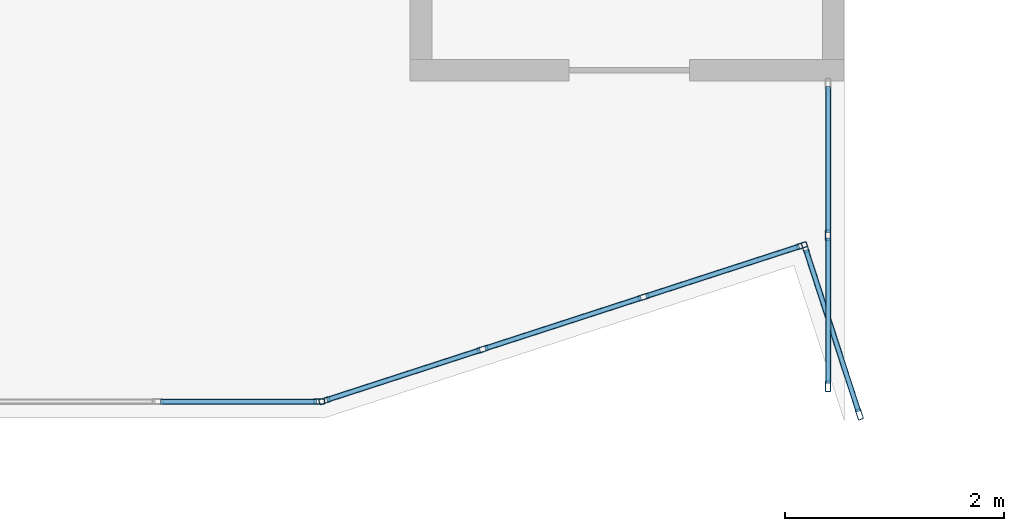
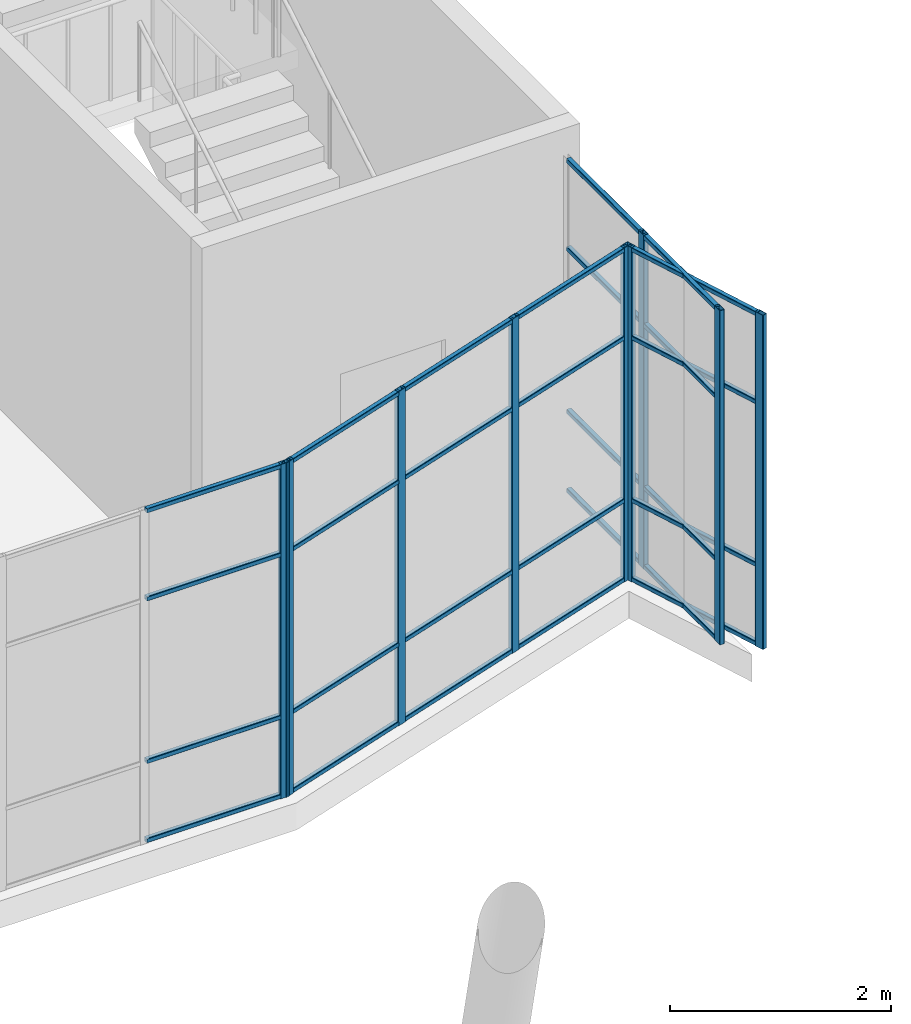
# One storey, part 10 of 66: 37 members, 4 elements without a shape of their own.
"""IFC4 building model written with IfcOpenShell, lengths in metres."""

from ifc_helpers import new_model, si_unit, direction, frame, origin, origin_2d, place, context, subcontext, project, spatial, hollow_rectangle, extrude, material, layer, layer_set, material_profile, profile_set, type_object, element, aggregate, save


model = new_model("IFC4")

# Units and contexts
model_context = context("Model", 3, precision=1e-05, world=origin(), true_north=direction((0.0, 1.0)))
body_context = subcontext(model_context, "Body", "Model", "MODEL_VIEW")
ifc_project = project(units=[si_unit("LENGTHUNIT", "METRE"), si_unit("AREAUNIT", "SQUARE_METRE"), si_unit("VOLUMEUNIT", "CUBIC_METRE"), si_unit("PLANEANGLEUNIT", "RADIAN"), si_unit("MASSUNIT", "GRAM", prefix="KILO")], contexts=[model_context])

# Site, building, storey
site_placement = place(None, origin())
site = spatial("IfcSite", under=ifc_project, at=site_placement, CompositionType="ELEMENT")
building_placement = place(site_placement, origin())
building = spatial("IfcBuilding", under=site, at=building_placement, Name="Tuart Plaza Theatre", CompositionType="ELEMENT")
storey_placement = place(building_placement, frame((0.0, 0.0, 5.5)))
storey = spatial("IfcBuildingStorey", under=building, at=storey_placement, Name="L01", CompositionType="ELEMENT", Elevation=5.5)

# Curtain wall, member
ifc_material_1 = material(Name="Aluminium and glass", Category="aluminium")
ifc_layer = layer(ifc_material_1, 0.10009765625)
ifc_layer_set = layer_set([ifc_layer], Name="CURTAIN WALL 1500 module")
curtain_wall_type = type_object("IfcCurtainWallType", Name="CURTAIN WALL 1500 module", PredefinedType="NOTDEFINED", material=ifc_layer_set)
curtain_wall_1_placement = place(storey_placement, origin())
curtain_wall_1 = element("IfcCurtainWall", 1, at=curtain_wall_1_placement, inside=storey, type_object=curtain_wall_type, Name="CW18", PredefinedType="NOTDEFINED")
ifc_material_2 = material(Name="Aluminium 6063-T5", Category="aluminium")
ifc_material_profile_1 = material_profile(ifc_material_2, hollow_rectangle(XDim=0.050048828125, YDim=0.10009765625, WallThickness=0.00390625, InnerFilletRadius=0.00390625, OuterFilletRadius=0.008056640625, at=origin_2d()), Name="RHS 100x50x4")
ifc_profile_set_1 = profile_set([ifc_material_profile_1], Name="Aluminium 6063-T5")
member_type_1 = type_object("IfcMemberType", Name="MULLION RHS 100x50x4", PredefinedType="MULLION", material=ifc_profile_set_1)
member_1_placement = place(storey_placement, frame((105.5712890625, 41.47900390625, 0.0), z_axis=(0.0, 0.0, 1.0), x_axis=(0.0, 1.0, 0.0)))
member_1 = element("IfcMember", 2, at=member_1_placement, type_object=member_type_1, Name="CW18 mullion 6", PredefinedType="MULLION", context=body_context, shape_type="SweptSolid", body=[
    extrude(hollow_rectangle(XDim=0.050048828125, YDim=0.10009765625, WallThickness=0.00390625, InnerFilletRadius=0.00390625, OuterFilletRadius=0.008056640625, at=origin_2d()), origin(), (0.0, 0.0, 1.0), 3.699951171875),
])

# Curtain wall, members
curtain_wall_2_placement = place(storey_placement, origin())
curtain_wall_2 = element("IfcCurtainWall", 3, at=curtain_wall_2_placement, inside=storey, type_object=curtain_wall_type, Name="CW19", PredefinedType="NOTDEFINED")
member_2_placement = place(storey_placement, frame((105.6201171875, 41.48681640625, 0.0), z_axis=(0.0, 0.0, 1.0), x_axis=(-0.308885075459, 0.951099369235, 0.0)))
member_2 = element("IfcMember", 4, at=member_2_placement, type_object=member_type_1, Name="CW19 mullion 1", PredefinedType="MULLION", context=body_context, shape_type="SweptSolid", body=[
    extrude(hollow_rectangle(XDim=0.050048828125, YDim=0.10009765625, WallThickness=0.00390625, InnerFilletRadius=0.00390625, OuterFilletRadius=0.008056640625, at=origin_2d()), origin(), (0.0, 0.0, 1.0), 3.699951171875),
])
member_3_placement = place(storey_placement, frame((107.06298828125, 41.955322265625, 0.0), z_axis=(0.0, 0.0, 1.0), x_axis=(-0.308885075459, 0.951099369235, 0.0)))
member_3 = element("IfcMember", 5, at=member_3_placement, type_object=member_type_1, Name="CW19 mullion 2", PredefinedType="MULLION", context=body_context, shape_type="SweptSolid", body=[
    extrude(hollow_rectangle(XDim=0.050048828125, YDim=0.10009765625, WallThickness=0.00390625, InnerFilletRadius=0.00390625, OuterFilletRadius=0.008056640625, at=origin_2d()), origin(), (0.0, 0.0, 1.0), 3.699951171875),
])
member_4_placement = place(storey_placement, frame((108.529541015625, 42.431640625, 0.0), z_axis=(0.0, 0.0, 1.0), x_axis=(-0.308885075459, 0.951099369235, 0.0)))
member_4 = element("IfcMember", 6, at=member_4_placement, type_object=member_type_1, Name="CW19 mullion 3", PredefinedType="MULLION", context=body_context, shape_type="SweptSolid", body=[
    extrude(hollow_rectangle(XDim=0.050048828125, YDim=0.10009765625, WallThickness=0.00390625, InnerFilletRadius=0.00390625, OuterFilletRadius=0.008056640625, at=origin_2d()), origin(), (0.0, 0.0, 1.0), 3.699951171875),
])
member_5_placement = place(storey_placement, frame((109.97265625, 42.900390625, 0.0), z_axis=(0.0, 0.0, 1.0), x_axis=(-0.308885075459, 0.951099369235, 0.0)))
member_5 = element("IfcMember", 7, at=member_5_placement, type_object=member_type_1, Name="CW19 mullion 4", PredefinedType="MULLION", context=body_context, shape_type="SweptSolid", body=[
    extrude(hollow_rectangle(XDim=0.050048828125, YDim=0.10009765625, WallThickness=0.00390625, InnerFilletRadius=0.00390625, OuterFilletRadius=0.008056640625, at=origin_2d()), origin(), (0.0, 0.0, 1.0), 3.699951171875),
])

curtain_wall_3_placement = place(storey_placement, origin())
curtain_wall_3 = element("IfcCurtainWall", 8, at=curtain_wall_3_placement, inside=storey, type_object=curtain_wall_type, Name="CW20", PredefinedType="NOTDEFINED")
member_6_placement = place(storey_placement, frame((110.004150390625, 42.88427734375, 0.0), z_axis=(0.0, 0.0, 1.0), x_axis=(0.951122257572, 0.30881459025, 0.0)))
member_6 = element("IfcMember", 9, at=member_6_placement, type_object=member_type_1, Name="CW20 mullion 1", PredefinedType="MULLION", context=body_context, shape_type="SweptSolid", body=[
    extrude(hollow_rectangle(XDim=0.050048828125, YDim=0.10009765625, WallThickness=0.00390625, InnerFilletRadius=0.00390625, OuterFilletRadius=0.008056640625, at=origin_2d()), origin(), (0.0, 0.0, 1.0), 3.699951171875),
])
member_7_placement = place(storey_placement, frame((110.498046875, 41.363037109375, 0.0), z_axis=(0.0, 0.0, 1.0), x_axis=(0.951122257572, 0.30881459025, 0.0)))
member_7 = element("IfcMember", 10, at=member_7_placement, type_object=member_type_1, Name="CW20 mullion 2", PredefinedType="MULLION", context=body_context, shape_type="SweptSolid", body=[
    extrude(hollow_rectangle(XDim=0.050048828125, YDim=0.10009765625, WallThickness=0.00390625, InnerFilletRadius=0.00390625, OuterFilletRadius=0.008056640625, at=origin_2d()), origin(), (0.0, 0.0, 1.0), 3.699951171875),
])

curtain_wall_4_placement = place(storey_placement, origin())
curtain_wall_4 = element("IfcCurtainWall", 11, at=curtain_wall_4_placement, inside=storey, type_object=curtain_wall_type, Name="CW21", PredefinedType="NOTDEFINED")
member_8_placement = place(storey_placement, frame((110.212890625, 41.617919921875, 0.0), z_axis=(0.0, 0.0, 1.0), x_axis=(-1.0, 0.0, 0.0)))
member_8 = element("IfcMember", 12, at=member_8_placement, type_object=member_type_1, Name="CW21 mullion 1", PredefinedType="MULLION", context=body_context, shape_type="SweptSolid", body=[
    extrude(hollow_rectangle(XDim=0.050048828125, YDim=0.10009765625, WallThickness=0.00390625, InnerFilletRadius=0.00390625, OuterFilletRadius=0.008056640625, at=origin_2d()), origin(), (0.0, 0.0, 1.0), 3.699951171875),
])
member_9_placement = place(storey_placement, frame((110.212890625, 42.99658203125, 0.0), z_axis=(0.0, 0.0, 1.0), x_axis=(-1.0, 0.0, 0.0)))
member_9 = element("IfcMember", 13, at=member_9_placement, type_object=member_type_1, Name="CW21 mullion 2", PredefinedType="MULLION", context=body_context, shape_type="SweptSolid", body=[
    extrude(hollow_rectangle(XDim=0.050048828125, YDim=0.10009765625, WallThickness=0.00390625, InnerFilletRadius=0.00390625, OuterFilletRadius=0.008056640625, at=origin_2d()), origin(), (0.0, 0.0, 1.0), 3.699951171875),
])

# Member
ifc_material_3 = material(Name="Aluminium 6063-T5", Category="aluminium")
ifc_material_profile_2 = material_profile(ifc_material_3, hollow_rectangle(XDim=0.050048828125, YDim=0.050048828125, WallThickness=0.00390625, InnerFilletRadius=0.00390625, OuterFilletRadius=0.008056640625, at=origin_2d()), Name="RHS 50x50x4")
ifc_profile_set_2 = profile_set([ifc_material_profile_2], Name="Aluminium 6063-T5")
member_type_2 = type_object("IfcMemberType", Name="TRANSOM RHS 50x50x4", PredefinedType="USERDEFINED", material=ifc_profile_set_2)
member_10_placement = place(storey_placement, frame((104.1259765625, 41.47900390625, 0.02490234375), z_axis=(1.0, 0.0, 0.0), x_axis=(0.0, 1.0, 0.0)))
member_10 = element("IfcMember", 14, at=member_10_placement, type_object=member_type_2, Name="CW18 transom 5.1", ObjectType="TRANSOM", PredefinedType="USERDEFINED", context=body_context, shape_type="SweptSolid", body=[
    extrude(hollow_rectangle(XDim=0.050048828125, YDim=0.050048828125, WallThickness=0.00390625, InnerFilletRadius=0.00390625, OuterFilletRadius=0.008056640625, at=origin_2d()), origin(), (0.0, 0.0, 1.0), 1.420166015625),
])

member_11_placement = place(storey_placement, frame((104.1259765625, 41.47900390625, 0.89990234375), z_axis=(1.0, 0.0, 0.0), x_axis=(0.0, 1.0, 0.0)))
member_11 = element("IfcMember", 15, at=member_11_placement, type_object=member_type_2, Name="CW18 transom 5.2", ObjectType="TRANSOM", PredefinedType="USERDEFINED", context=body_context, shape_type="SweptSolid", body=[
    extrude(hollow_rectangle(XDim=0.050048828125, YDim=0.050048828125, WallThickness=0.00390625, InnerFilletRadius=0.00390625, OuterFilletRadius=0.008056640625, at=origin_2d()), origin(), (0.0, 0.0, 1.0), 1.420166015625),
])

member_12_placement = place(storey_placement, frame((104.1259765625, 41.47900390625, 2.699951171875), z_axis=(1.0, 0.0, 0.0), x_axis=(0.0, 1.0, 0.0)))
member_12 = element("IfcMember", 16, at=member_12_placement, type_object=member_type_2, Name="CW18 transom 5.3", ObjectType="TRANSOM", PredefinedType="USERDEFINED", context=body_context, shape_type="SweptSolid", body=[
    extrude(hollow_rectangle(XDim=0.050048828125, YDim=0.050048828125, WallThickness=0.00390625, InnerFilletRadius=0.00390625, OuterFilletRadius=0.008056640625, at=origin_2d()), origin(), (0.0, 0.0, 1.0), 1.420166015625),
])

member_13_placement = place(storey_placement, frame((104.1259765625, 41.47900390625, 3.675048828125), z_axis=(1.0, 0.0, 0.0), x_axis=(0.0, 1.0, 0.0)))
member_13 = element("IfcMember", 17, at=member_13_placement, type_object=member_type_2, Name="CW18 transom 5.4", ObjectType="TRANSOM", PredefinedType="USERDEFINED", context=body_context, shape_type="SweptSolid", body=[
    extrude(hollow_rectangle(XDim=0.050048828125, YDim=0.050048828125, WallThickness=0.00390625, InnerFilletRadius=0.00390625, OuterFilletRadius=0.008056640625, at=origin_2d()), origin(), (0.0, 0.0, 1.0), 1.420166015625),
])

aggregate(curtain_wall_1, [member_1, member_10, member_11, member_12, member_13])

member_14_placement = place(storey_placement, frame((105.643798828125, 41.494384765625, 0.02490234375), z_axis=(0.951101311149, 0.308879095974, 0.0), x_axis=(-0.308879095974, 0.951101311149, 0.0)))
member_14 = element("IfcMember", 18, at=member_14_placement, type_object=member_type_2, Name="CW19 transom 1.1", ObjectType="TRANSOM", PredefinedType="USERDEFINED", context=body_context, shape_type="SweptSolid", body=[
    extrude(hollow_rectangle(XDim=0.050048828125, YDim=0.050048828125, WallThickness=0.00390625, InnerFilletRadius=0.00390625, OuterFilletRadius=0.008056640625, at=origin_2d()), origin(), (0.0, 0.0, 1.0), 1.467041015625),
])

member_15_placement = place(storey_placement, frame((105.643798828125, 41.494384765625, 0.89990234375), z_axis=(0.951101311149, 0.308879095974, 0.0), x_axis=(-0.308879095974, 0.951101311149, 0.0)))
member_15 = element("IfcMember", 19, at=member_15_placement, type_object=member_type_2, Name="CW19 transom 1.2", ObjectType="TRANSOM", PredefinedType="USERDEFINED", context=body_context, shape_type="SweptSolid", body=[
    extrude(hollow_rectangle(XDim=0.050048828125, YDim=0.050048828125, WallThickness=0.00390625, InnerFilletRadius=0.00390625, OuterFilletRadius=0.008056640625, at=origin_2d()), origin(), (0.0, 0.0, 1.0), 1.467041015625),
])

member_16_placement = place(storey_placement, frame((105.643798828125, 41.494384765625, 2.699951171875), z_axis=(0.951101311149, 0.308879095974, 0.0), x_axis=(-0.308879095974, 0.951101311149, 0.0)))
member_16 = element("IfcMember", 20, at=member_16_placement, type_object=member_type_2, Name="CW19 transom 1.3", ObjectType="TRANSOM", PredefinedType="USERDEFINED", context=body_context, shape_type="SweptSolid", body=[
    extrude(hollow_rectangle(XDim=0.050048828125, YDim=0.050048828125, WallThickness=0.00390625, InnerFilletRadius=0.00390625, OuterFilletRadius=0.008056640625, at=origin_2d()), origin(), (0.0, 0.0, 1.0), 1.467041015625),
])

member_17_placement = place(storey_placement, frame((105.643798828125, 41.494384765625, 3.675048828125), z_axis=(0.951101311149, 0.308879095974, 0.0), x_axis=(-0.308879095974, 0.951101311149, 0.0)))
member_17 = element("IfcMember", 21, at=member_17_placement, type_object=member_type_2, Name="CW19 transom 1.4", ObjectType="TRANSOM", PredefinedType="USERDEFINED", context=body_context, shape_type="SweptSolid", body=[
    extrude(hollow_rectangle(XDim=0.050048828125, YDim=0.050048828125, WallThickness=0.00390625, InnerFilletRadius=0.00390625, OuterFilletRadius=0.008056640625, at=origin_2d()), origin(), (0.0, 0.0, 1.0), 1.467041015625),
])

member_18_placement = place(storey_placement, frame((107.086669921875, 41.963134765625, 0.02490234375), z_axis=(0.951141028073, 0.308756772746, 0.0), x_axis=(-0.308756772746, 0.951141028073, 0.0)))
member_18 = element("IfcMember", 22, at=member_18_placement, type_object=member_type_2, Name="CW19 transom 2.1", ObjectType="TRANSOM", PredefinedType="USERDEFINED", context=body_context, shape_type="SweptSolid", body=[
    extrude(hollow_rectangle(XDim=0.050048828125, YDim=0.050048828125, WallThickness=0.00390625, InnerFilletRadius=0.00390625, OuterFilletRadius=0.008056640625, at=origin_2d()), origin(), (0.0, 0.0, 1.0), 1.4921875),
])

member_19_placement = place(storey_placement, frame((107.086669921875, 41.963134765625, 0.89990234375), z_axis=(0.951141028073, 0.308756772746, 0.0), x_axis=(-0.308756772746, 0.951141028073, 0.0)))
member_19 = element("IfcMember", 23, at=member_19_placement, type_object=member_type_2, Name="CW19 transom 2.2", ObjectType="TRANSOM", PredefinedType="USERDEFINED", context=body_context, shape_type="SweptSolid", body=[
    extrude(hollow_rectangle(XDim=0.050048828125, YDim=0.050048828125, WallThickness=0.00390625, InnerFilletRadius=0.00390625, OuterFilletRadius=0.008056640625, at=origin_2d()), origin(), (0.0, 0.0, 1.0), 1.4921875),
])

member_20_placement = place(storey_placement, frame((107.086669921875, 41.963134765625, 2.699951171875), z_axis=(0.951141028073, 0.308756772746, 0.0), x_axis=(-0.308756772746, 0.951141028073, 0.0)))
member_20 = element("IfcMember", 24, at=member_20_placement, type_object=member_type_2, Name="CW19 transom 2.3", ObjectType="TRANSOM", PredefinedType="USERDEFINED", context=body_context, shape_type="SweptSolid", body=[
    extrude(hollow_rectangle(XDim=0.050048828125, YDim=0.050048828125, WallThickness=0.00390625, InnerFilletRadius=0.00390625, OuterFilletRadius=0.008056640625, at=origin_2d()), origin(), (0.0, 0.0, 1.0), 1.4921875),
])

member_21_placement = place(storey_placement, frame((107.086669921875, 41.963134765625, 3.675048828125), z_axis=(0.951141028073, 0.308756772746, 0.0), x_axis=(-0.308756772746, 0.951141028073, 0.0)))
member_21 = element("IfcMember", 25, at=member_21_placement, type_object=member_type_2, Name="CW19 transom 2.4", ObjectType="TRANSOM", PredefinedType="USERDEFINED", context=body_context, shape_type="SweptSolid", body=[
    extrude(hollow_rectangle(XDim=0.050048828125, YDim=0.050048828125, WallThickness=0.00390625, InnerFilletRadius=0.00390625, OuterFilletRadius=0.008056640625, at=origin_2d()), origin(), (0.0, 0.0, 1.0), 1.4921875),
])

member_22_placement = place(storey_placement, frame((108.553466796875, 42.439453125, 0.02490234375), z_axis=(0.951101311149, 0.308879095974, 0.0), x_axis=(-0.308879095974, 0.951101311149, 0.0)))
member_22 = element("IfcMember", 26, at=member_22_placement, type_object=member_type_2, Name="CW19 transom 3.1", ObjectType="TRANSOM", PredefinedType="USERDEFINED", context=body_context, shape_type="SweptSolid", body=[
    extrude(hollow_rectangle(XDim=0.050048828125, YDim=0.050048828125, WallThickness=0.00390625, InnerFilletRadius=0.00390625, OuterFilletRadius=0.008056640625, at=origin_2d()), origin(), (0.0, 0.0, 1.0), 1.467041015625),
])

member_23_placement = place(storey_placement, frame((108.553466796875, 42.439453125, 0.89990234375), z_axis=(0.951101311149, 0.308879095974, 0.0), x_axis=(-0.308879095974, 0.951101311149, 0.0)))
member_23 = element("IfcMember", 27, at=member_23_placement, type_object=member_type_2, Name="CW19 transom 3.2", ObjectType="TRANSOM", PredefinedType="USERDEFINED", context=body_context, shape_type="SweptSolid", body=[
    extrude(hollow_rectangle(XDim=0.050048828125, YDim=0.050048828125, WallThickness=0.00390625, InnerFilletRadius=0.00390625, OuterFilletRadius=0.008056640625, at=origin_2d()), origin(), (0.0, 0.0, 1.0), 1.467041015625),
])

member_24_placement = place(storey_placement, frame((108.553466796875, 42.439453125, 2.699951171875), z_axis=(0.951101311149, 0.308879095974, 0.0), x_axis=(-0.308879095974, 0.951101311149, 0.0)))
member_24 = element("IfcMember", 28, at=member_24_placement, type_object=member_type_2, Name="CW19 transom 3.3", ObjectType="TRANSOM", PredefinedType="USERDEFINED", context=body_context, shape_type="SweptSolid", body=[
    extrude(hollow_rectangle(XDim=0.050048828125, YDim=0.050048828125, WallThickness=0.00390625, InnerFilletRadius=0.00390625, OuterFilletRadius=0.008056640625, at=origin_2d()), origin(), (0.0, 0.0, 1.0), 1.467041015625),
])

member_25_placement = place(storey_placement, frame((108.553466796875, 42.439453125, 3.675048828125), z_axis=(0.951101311149, 0.308879095974, 0.0), x_axis=(-0.308879095974, 0.951101311149, 0.0)))
member_25 = element("IfcMember", 29, at=member_25_placement, type_object=member_type_2, Name="CW19 transom 3.4", ObjectType="TRANSOM", PredefinedType="USERDEFINED", context=body_context, shape_type="SweptSolid", body=[
    extrude(hollow_rectangle(XDim=0.050048828125, YDim=0.050048828125, WallThickness=0.00390625, InnerFilletRadius=0.00390625, OuterFilletRadius=0.008056640625, at=origin_2d()), origin(), (0.0, 0.0, 1.0), 1.467041015625),
])

aggregate(curtain_wall_2, [member_2, member_3, member_4, member_5, member_14, member_15, member_16, member_17, member_18, member_19, member_20, member_21, member_22, member_23, member_24, member_25])

member_26_placement = place(storey_placement, frame((110.01171875, 42.8603515625, 0.02490234375), z_axis=(0.308890071797, -0.951097746578, 0.0), x_axis=(0.951097746578, 0.308890071797, 0.0)))
member_26 = element("IfcMember", 30, at=member_26_placement, type_object=member_type_2, Name="CW20 transom 1.1", ObjectType="TRANSOM", PredefinedType="USERDEFINED", context=body_context, shape_type="SweptSolid", body=[
    extrude(hollow_rectangle(XDim=0.050048828125, YDim=0.050048828125, WallThickness=0.00390625, InnerFilletRadius=0.00390625, OuterFilletRadius=0.008056640625, at=origin_2d()), origin(), (0.0, 0.0, 1.0), 1.549072265625),
])

member_27_placement = place(storey_placement, frame((110.01171875, 42.8603515625, 0.89990234375), z_axis=(0.308890071797, -0.951097746578, 0.0), x_axis=(0.951097746578, 0.308890071797, 0.0)))
member_27 = element("IfcMember", 31, at=member_27_placement, type_object=member_type_2, Name="CW20 transom 1.2", ObjectType="TRANSOM", PredefinedType="USERDEFINED", context=body_context, shape_type="SweptSolid", body=[
    extrude(hollow_rectangle(XDim=0.050048828125, YDim=0.050048828125, WallThickness=0.00390625, InnerFilletRadius=0.00390625, OuterFilletRadius=0.008056640625, at=origin_2d()), origin(), (0.0, 0.0, 1.0), 1.549072265625),
])

member_28_placement = place(storey_placement, frame((110.01171875, 42.8603515625, 2.699951171875), z_axis=(0.308890071797, -0.951097746578, 0.0), x_axis=(0.951097746578, 0.308890071797, 0.0)))
member_28 = element("IfcMember", 32, at=member_28_placement, type_object=member_type_2, Name="CW20 transom 1.3", ObjectType="TRANSOM", PredefinedType="USERDEFINED", context=body_context, shape_type="SweptSolid", body=[
    extrude(hollow_rectangle(XDim=0.050048828125, YDim=0.050048828125, WallThickness=0.00390625, InnerFilletRadius=0.00390625, OuterFilletRadius=0.008056640625, at=origin_2d()), origin(), (0.0, 0.0, 1.0), 1.549072265625),
])

member_29_placement = place(storey_placement, frame((110.01171875, 42.8603515625, 3.675048828125), z_axis=(0.308890071797, -0.951097746578, 0.0), x_axis=(0.951097746578, 0.308890071797, 0.0)))
member_29 = element("IfcMember", 33, at=member_29_placement, type_object=member_type_2, Name="CW20 transom 1.4", ObjectType="TRANSOM", PredefinedType="USERDEFINED", context=body_context, shape_type="SweptSolid", body=[
    extrude(hollow_rectangle(XDim=0.050048828125, YDim=0.050048828125, WallThickness=0.00390625, InnerFilletRadius=0.00390625, OuterFilletRadius=0.008056640625, at=origin_2d()), origin(), (0.0, 0.0, 1.0), 1.549072265625),
])

aggregate(curtain_wall_3, [member_6, member_7, member_26, member_27, member_28, member_29])

member_30_placement = place(storey_placement, frame((110.212890625, 41.64306640625, 0.02490234375), z_axis=(0.0, 1.0, 0.0), x_axis=(-1.0, 0.0, 0.0)))
member_30 = element("IfcMember", 34, at=member_30_placement, type_object=member_type_2, Name="CW21 transom 1.1", ObjectType="TRANSOM", PredefinedType="USERDEFINED", context=body_context, shape_type="SweptSolid", body=[
    extrude(hollow_rectangle(XDim=0.050048828125, YDim=0.050048828125, WallThickness=0.00390625, InnerFilletRadius=0.00390625, OuterFilletRadius=0.008056640625, at=origin_2d()), origin(), (0.0, 0.0, 1.0), 1.328369140625),
])

member_31_placement = place(storey_placement, frame((110.212890625, 41.64306640625, 0.89990234375), z_axis=(0.0, 1.0, 0.0), x_axis=(-1.0, 0.0, 0.0)))
member_31 = element("IfcMember", 35, at=member_31_placement, type_object=member_type_2, Name="CW21 transom 1.2", ObjectType="TRANSOM", PredefinedType="USERDEFINED", context=body_context, shape_type="SweptSolid", body=[
    extrude(hollow_rectangle(XDim=0.050048828125, YDim=0.050048828125, WallThickness=0.00390625, InnerFilletRadius=0.00390625, OuterFilletRadius=0.008056640625, at=origin_2d()), origin(), (0.0, 0.0, 1.0), 1.328369140625),
])

member_32_placement = place(storey_placement, frame((110.212890625, 41.64306640625, 2.699951171875), z_axis=(0.0, 1.0, 0.0), x_axis=(-1.0, 0.0, 0.0)))
member_32 = element("IfcMember", 36, at=member_32_placement, type_object=member_type_2, Name="CW21 transom 1.3", ObjectType="TRANSOM", PredefinedType="USERDEFINED", context=body_context, shape_type="SweptSolid", body=[
    extrude(hollow_rectangle(XDim=0.050048828125, YDim=0.050048828125, WallThickness=0.00390625, InnerFilletRadius=0.00390625, OuterFilletRadius=0.008056640625, at=origin_2d()), origin(), (0.0, 0.0, 1.0), 1.328369140625),
])

member_33_placement = place(storey_placement, frame((110.212890625, 41.64306640625, 3.675048828125), z_axis=(0.0, 1.0, 0.0), x_axis=(-1.0, 0.0, 0.0)))
member_33 = element("IfcMember", 37, at=member_33_placement, type_object=member_type_2, Name="CW21 transom 1.4", ObjectType="TRANSOM", PredefinedType="USERDEFINED", context=body_context, shape_type="SweptSolid", body=[
    extrude(hollow_rectangle(XDim=0.050048828125, YDim=0.050048828125, WallThickness=0.00390625, InnerFilletRadius=0.00390625, OuterFilletRadius=0.008056640625, at=origin_2d()), origin(), (0.0, 0.0, 1.0), 1.328369140625),
])

member_34_placement = place(storey_placement, frame((110.212890625, 43.021484375, 0.02490234375), z_axis=(0.0, 1.0, 0.0), x_axis=(-1.0, 0.0, 0.0)))
member_34 = element("IfcMember", 38, at=member_34_placement, type_object=member_type_2, Name="CW21 transom 2.1", ObjectType="TRANSOM", PredefinedType="USERDEFINED", context=body_context, shape_type="SweptSolid", body=[
    extrude(hollow_rectangle(XDim=0.050048828125, YDim=0.050048828125, WallThickness=0.00390625, InnerFilletRadius=0.00390625, OuterFilletRadius=0.008056640625, at=origin_2d()), origin(), (0.0, 0.0, 1.0), 1.32861328125),
])

member_35_placement = place(storey_placement, frame((110.212890625, 43.021484375, 0.89990234375), z_axis=(0.0, 1.0, 0.0), x_axis=(-1.0, 0.0, 0.0)))
member_35 = element("IfcMember", 39, at=member_35_placement, type_object=member_type_2, Name="CW21 transom 2.2", ObjectType="TRANSOM", PredefinedType="USERDEFINED", context=body_context, shape_type="SweptSolid", body=[
    extrude(hollow_rectangle(XDim=0.050048828125, YDim=0.050048828125, WallThickness=0.00390625, InnerFilletRadius=0.00390625, OuterFilletRadius=0.008056640625, at=origin_2d()), origin(), (0.0, 0.0, 1.0), 1.32861328125),
])

member_36_placement = place(storey_placement, frame((110.212890625, 43.021484375, 2.699951171875), z_axis=(0.0, 1.0, 0.0), x_axis=(-1.0, 0.0, 0.0)))
member_36 = element("IfcMember", 40, at=member_36_placement, type_object=member_type_2, Name="CW21 transom 2.3", ObjectType="TRANSOM", PredefinedType="USERDEFINED", context=body_context, shape_type="SweptSolid", body=[
    extrude(hollow_rectangle(XDim=0.050048828125, YDim=0.050048828125, WallThickness=0.00390625, InnerFilletRadius=0.00390625, OuterFilletRadius=0.008056640625, at=origin_2d()), origin(), (0.0, 0.0, 1.0), 1.32861328125),
])

member_37_placement = place(storey_placement, frame((110.212890625, 43.021484375, 3.675048828125), z_axis=(0.0, 1.0, 0.0), x_axis=(-1.0, 0.0, 0.0)))
member_37 = element("IfcMember", 41, at=member_37_placement, type_object=member_type_2, Name="CW21 transom 2.4", ObjectType="TRANSOM", PredefinedType="USERDEFINED", context=body_context, shape_type="SweptSolid", body=[
    extrude(hollow_rectangle(XDim=0.050048828125, YDim=0.050048828125, WallThickness=0.00390625, InnerFilletRadius=0.00390625, OuterFilletRadius=0.008056640625, at=origin_2d()), origin(), (0.0, 0.0, 1.0), 1.32861328125),
])

aggregate(curtain_wall_4, [member_8, member_9, member_30, member_31, member_32, member_33, member_34, member_35, member_36, member_37])

save(model, "model.ifc")
